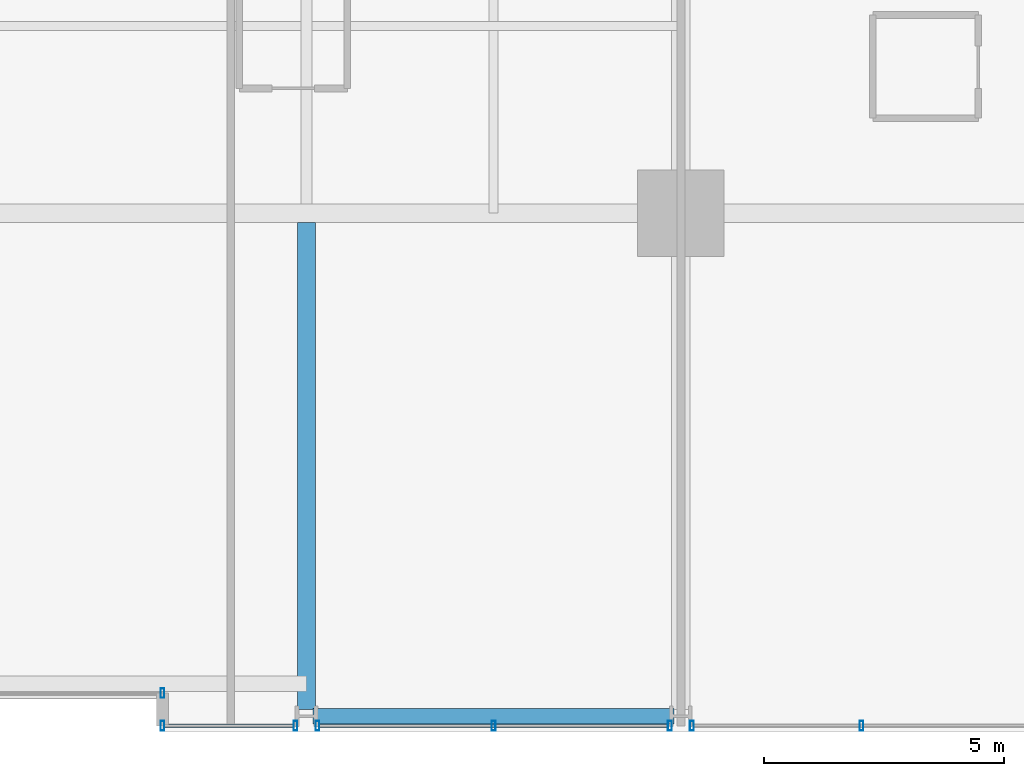
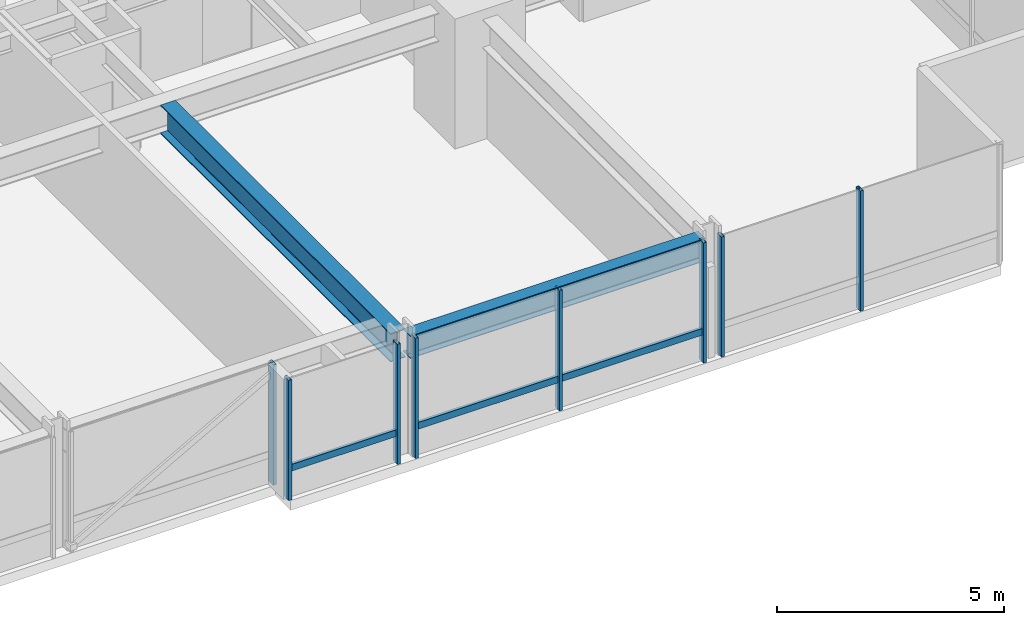
# One storey, part 11 of 38: 10 members, 2 beams, 4 elements without a shape of their own.
"""IFC4 building model written with IfcOpenShell, lengths in metres."""

from ifc_helpers import new_model, si_unit, direction, frame, origin, origin_2d, place, context, subcontext, project, spatial, hollow_rectangle, i_section, extrude, material, layer, layer_set, material_profile, profile_set, type_object, element, aggregate, save


model = new_model("IFC4")

# Units and contexts
model_context = context("Model", 3, precision=1e-05, world=origin(), true_north=direction((0.0, 1.0)))
body_context = subcontext(model_context, "Body", "Model", "MODEL_VIEW")
ifc_project = project(units=[si_unit("LENGTHUNIT", "METRE"), si_unit("AREAUNIT", "SQUARE_METRE"), si_unit("VOLUMEUNIT", "CUBIC_METRE"), si_unit("PLANEANGLEUNIT", "RADIAN"), si_unit("MASSUNIT", "GRAM", prefix="KILO")], contexts=[model_context])

# Site, building, storey
site_placement = place(None, origin())
site = spatial("IfcSite", under=ifc_project, at=site_placement, CompositionType="ELEMENT")
building_placement = place(site_placement, origin())
building = spatial("IfcBuilding", under=site, at=building_placement, Name="Drelvath Grand Hotel", CompositionType="ELEMENT")
storey_placement = place(building_placement, frame((0.0, 0.0, 64.699951171875)))
storey = spatial("IfcBuildingStorey", under=building, at=storey_placement, Name="L15", CompositionType="ELEMENT", Elevation=64.699951171875)

# Curtain wall, member
ifc_material_1 = material(Name="Warm Bronze Anodised Aluminium Frame", Category="aluminium")
ifc_layer = layer(ifc_material_1, 0.199951171875)
ifc_layer_set = layer_set([ifc_layer], Name="Warm Bronze Anodised Aluminium Frame")
curtain_wall_type = type_object("IfcCurtainWallType", Name="Stick Curtain Wall CW-02 Warm Bronze Low-Rise", PredefinedType="NOTDEFINED", material=ifc_layer_set)
curtain_wall_1_placement = place(storey_placement, origin())
curtain_wall_1 = element("IfcCurtainWall", 1, at=curtain_wall_1_placement, inside=storey, type_object=curtain_wall_type, Name="L15 CW-02 Curtain Wall CW02-L15-SE1", PredefinedType="NOTDEFINED")
ifc_material_profile_1 = material_profile(ifc_material_1, hollow_rectangle(XDim=0.074951171875, YDim=0.179931640625, WallThickness=0.0048828125, at=origin_2d()), Name="HSS180X75X5")
ifc_profile_set_1 = profile_set([ifc_material_profile_1], Name="Warm Bronze Anodised Aluminium Frame")
member_type_1 = type_object("IfcMemberType", Name="Curtain Wall Horizontal Transom CW-02 HSS180X75X5", PredefinedType="USERDEFINED", material=ifc_profile_set_1)
member_1_placement = place(storey_placement, frame((8.130859375, 0.1201171875, 0.81005859375), z_axis=(-1.0, 0.0, 0.0), x_axis=(0.0, -1.0, 0.0)))
member_1 = element("IfcMember", 2, at=member_1_placement, type_object=member_type_1, Name="CW02-L15-SE1 Sill Transom", ObjectType="TRANSOM", PredefinedType="USERDEFINED", context=body_context, shape_type="SweptSolid", body=[
    extrude(hollow_rectangle(XDim=0.074951171875, YDim=0.179931640625, WallThickness=0.0048828125, at=origin_2d()), origin(), (0.0, 0.0, 1.0), 2.69091796875),
])

curtain_wall_2_placement = place(storey_placement, origin())
curtain_wall_2 = element("IfcCurtainWall", 3, at=curtain_wall_2_placement, inside=storey, type_object=curtain_wall_type, Name="L15 CW-02 Curtain Wall CW02-L15-SE2", PredefinedType="NOTDEFINED")
member_2_placement = place(storey_placement, frame((15.930908203125, 0.1201171875, 0.81005859375), z_axis=(-1.0, 0.0, 0.0), x_axis=(0.0, -1.0, 0.0)))
member_2 = element("IfcMember", 4, at=member_2_placement, type_object=member_type_1, Name="CW02-L15-SE2 Sill Transom", ObjectType="TRANSOM", PredefinedType="USERDEFINED", context=body_context, shape_type="SweptSolid", body=[
    extrude(hollow_rectangle(XDim=0.074951171875, YDim=0.179931640625, WallThickness=0.0048828125, at=origin_2d()), origin(), (0.0, 0.0, 1.0), 7.26171875),
])

# Member
ifc_material_profile_2 = material_profile(ifc_material_1, hollow_rectangle(XDim=0.080078125, YDim=0.199951171875, WallThickness=0.0048828125, at=origin_2d()), Name="HSS200X80X5")
ifc_profile_set_2 = profile_set([ifc_material_profile_2], Name="Warm Bronze Anodised Aluminium Frame")
member_type_2 = type_object("IfcMemberType", Name="Curtain Wall Vertical Mullion CW-02 HSS200X80X5", PredefinedType="MULLION", material=ifc_profile_set_2)
member_3_placement = place(storey_placement, frame((8.1708984375, 0.1201171875, 0.0), z_axis=(0.0, 0.0, 1.0), x_axis=(1.0, 0.0, 0.0)))
member_3 = element("IfcMember", 5, at=member_3_placement, type_object=member_type_2, Name="CW02-L15-SE1 Mullion 1", PredefinedType="MULLION", context=body_context, shape_type="SweptSolid", body=[
    extrude(hollow_rectangle(XDim=0.080078125, YDim=0.199951171875, WallThickness=0.0048828125, at=origin_2d()), origin(), (0.0, 0.0, 1.0), 3.239990234375),
])

member_4_placement = place(storey_placement, frame((5.39990234375, 0.1201171875, 0.0), z_axis=(0.0, 0.0, 1.0), x_axis=(1.0, 0.0, 0.0)))
member_4 = element("IfcMember", 6, at=member_4_placement, type_object=member_type_2, Name="CW02-L15-SE1 Mullion 2", PredefinedType="MULLION", context=body_context, shape_type="SweptSolid", body=[
    extrude(hollow_rectangle(XDim=0.080078125, YDim=0.199951171875, WallThickness=0.0048828125, at=origin_2d()), origin(), (0.0, 0.0, 1.0), 3.239990234375),
])

aggregate(curtain_wall_1, [member_3, member_4, member_1])

member_5_placement = place(storey_placement, frame((15.970947265625, 0.1201171875, 0.0), z_axis=(0.0, 0.0, 1.0), x_axis=(1.0, 0.0, 0.0)))
member_5 = element("IfcMember", 7, at=member_5_placement, type_object=member_type_2, Name="CW02-L15-SE2 Mullion 1", PredefinedType="MULLION", context=body_context, shape_type="SweptSolid", body=[
    extrude(hollow_rectangle(XDim=0.080078125, YDim=0.199951171875, WallThickness=0.0048828125, at=origin_2d()), origin(), (0.0, 0.0, 1.0), 3.239990234375),
])

member_6_placement = place(storey_placement, frame((12.300048828125, 0.1201171875, 0.0), z_axis=(0.0, 0.0, 1.0), x_axis=(1.0, 0.0, 0.0)))
member_6 = element("IfcMember", 8, at=member_6_placement, type_object=member_type_2, Name="CW02-L15-SE2 Mullion 2", PredefinedType="MULLION", context=body_context, shape_type="SweptSolid", body=[
    extrude(hollow_rectangle(XDim=0.080078125, YDim=0.199951171875, WallThickness=0.0048828125, at=origin_2d()), origin(), (0.0, 0.0, 1.0), 3.239990234375),
])

member_7_placement = place(storey_placement, frame((8.629150390625, 0.1201171875, 0.0), z_axis=(0.0, 0.0, 1.0), x_axis=(1.0, 0.0, 0.0)))
member_7 = element("IfcMember", 9, at=member_7_placement, type_object=member_type_2, Name="CW02-L15-SE2 Mullion 3", PredefinedType="MULLION", context=body_context, shape_type="SweptSolid", body=[
    extrude(hollow_rectangle(XDim=0.080078125, YDim=0.199951171875, WallThickness=0.0048828125, at=origin_2d()), origin(), (0.0, 0.0, 1.0), 3.239990234375),
])

aggregate(curtain_wall_2, [member_5, member_6, member_7, member_2])

# Curtain wall, members
curtain_wall_3_placement = place(storey_placement, origin())
curtain_wall_3 = element("IfcCurtainWall", 10, at=curtain_wall_3_placement, inside=storey, type_object=curtain_wall_type, Name="L15 CW-02 Curtain Wall CW02-L15-SE3", PredefinedType="NOTDEFINED")
member_8_placement = place(storey_placement, frame((19.964599609375, 0.1201171875, 0.0), z_axis=(0.0, 0.0, 1.0), x_axis=(1.0, 0.0, 0.0)))
member_8 = element("IfcMember", 11, at=member_8_placement, type_object=member_type_2, Name="CW02-L15-SE3 Mullion 2", PredefinedType="MULLION", context=body_context, shape_type="SweptSolid", body=[
    extrude(hollow_rectangle(XDim=0.080078125, YDim=0.199951171875, WallThickness=0.0048828125, at=origin_2d()), origin(), (0.0, 0.0, 1.0), 3.239990234375),
])
member_9_placement = place(storey_placement, frame((16.42919921875, 0.1201171875, 0.0), z_axis=(0.0, 0.0, 1.0), x_axis=(1.0, 0.0, 0.0)))
member_9 = element("IfcMember", 12, at=member_9_placement, type_object=member_type_2, Name="CW02-L15-SE3 Mullion 3", PredefinedType="MULLION", context=body_context, shape_type="SweptSolid", body=[
    extrude(hollow_rectangle(XDim=0.080078125, YDim=0.199951171875, WallThickness=0.0048828125, at=origin_2d()), origin(), (0.0, 0.0, 1.0), 3.239990234375),
])
aggregate(curtain_wall_3, [member_8, member_9])

# Curtain wall, member
curtain_wall_4_placement = place(storey_placement, origin())
curtain_wall_4 = element("IfcCurtainWall", 13, at=curtain_wall_4_placement, inside=storey, type_object=curtain_wall_type, Name="L15 CW-02 Curtain Wall CW02-L15-SM2", PredefinedType="NOTDEFINED")
member_10_placement = place(storey_placement, frame((5.39990234375, 0.800048828125, 0.0), z_axis=(0.0, 0.0, 1.0), x_axis=(1.0, 0.0, 0.0)))
member_10 = element("IfcMember", 14, at=member_10_placement, type_object=member_type_2, Name="CW02-L15-SM2 Mullion 1", PredefinedType="MULLION", context=body_context, shape_type="SweptSolid", body=[
    extrude(hollow_rectangle(XDim=0.080078125, YDim=0.199951171875, WallThickness=0.0048828125, at=origin_2d()), origin(), (0.0, 0.0, 1.0), 3.239990234375),
])
aggregate(curtain_wall_4, [member_10])

# Beams
ifc_material_2 = material(Name="Steel ASTM A992 Gr 50", Category="steel")
ifc_material_profile_3 = material_profile(ifc_material_2, i_section(OverallWidth=0.323974609375, OverallDepth=0.611083984375, WebThickness=0.0126953125, FlangeThickness=0.01904296875, FilletRadius=0.02197265625, at=origin_2d()), Name="W24X104")
ifc_profile_set_3 = profile_set([ifc_material_profile_3], Name="Steel ASTM A992 Gr 50")
beam_type_1 = type_object("IfcBeamType", Name="Perimeter Spandrel Beam W24X104", PredefinedType="SPANDREL", material=ifc_profile_set_3)
beam_1_placement = place(storey_placement, frame((8.5400390625, 0.320068359375, 2.9345703125), z_axis=(1.0, 0.0, 0.0), x_axis=(0.0, 1.0, 0.0)))
element("IfcBeam", 15, at=beam_1_placement, inside=storey, type_object=beam_type_1, Name="L15 Spandrel South E", PredefinedType="SPANDREL", context=body_context, shape_type="SweptSolid", body=[
    extrude(i_section(OverallWidth=0.323974609375, OverallDepth=0.611083984375, WebThickness=0.0126953125, FlangeThickness=0.01904296875, FilletRadius=0.02197265625, at=origin_2d()), origin(), (0.0, 0.0, 1.0), 7.52001953125),
])
ifc_material_profile_4 = material_profile(ifc_material_2, i_section(OverallWidth=0.380615234375, OverallDepth=0.773193359375, WebThickness=0.0166015625, FlangeThickness=0.027099609375, FilletRadius=0.02490234375, at=origin_2d()), Name="W30X173")
ifc_profile_set_4 = profile_set([ifc_material_profile_4], Name="Steel ASTM A992 Gr 50")
beam_type_2 = type_object("IfcBeamType", Name="Primary Floor Girder W30X173", PredefinedType="BEAM", material=ifc_profile_set_4)
beam_2_placement = place(storey_placement, frame((8.39990234375, 0.4599609375, 2.853515625), z_axis=(0.0, 1.0, 0.0), x_axis=(-1.0, 0.0, 0.0)))
element("IfcBeam", 16, at=beam_2_placement, inside=storey, type_object=beam_type_2, Name="L15 South Wing Girder 6", PredefinedType="BEAM", context=body_context, shape_type="SweptSolid", body=[
    extrude(i_section(OverallWidth=0.380615234375, OverallDepth=0.773193359375, WebThickness=0.0166015625, FlangeThickness=0.027099609375, FilletRadius=0.02490234375, at=origin_2d()), origin(), (0.0, 0.0, 1.0), 10.149658203125),
])

save(model, "model.ifc")
